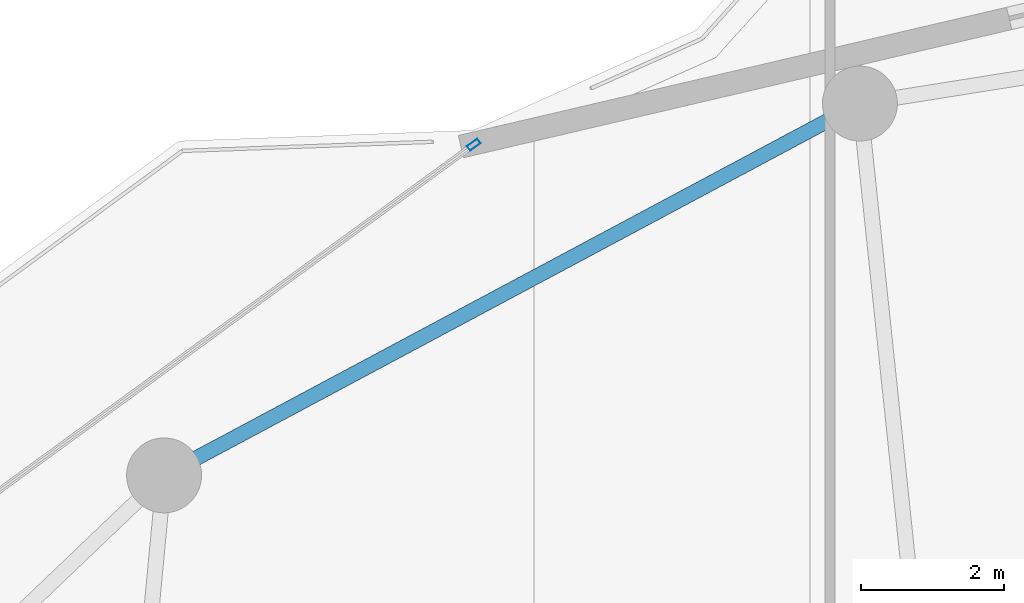
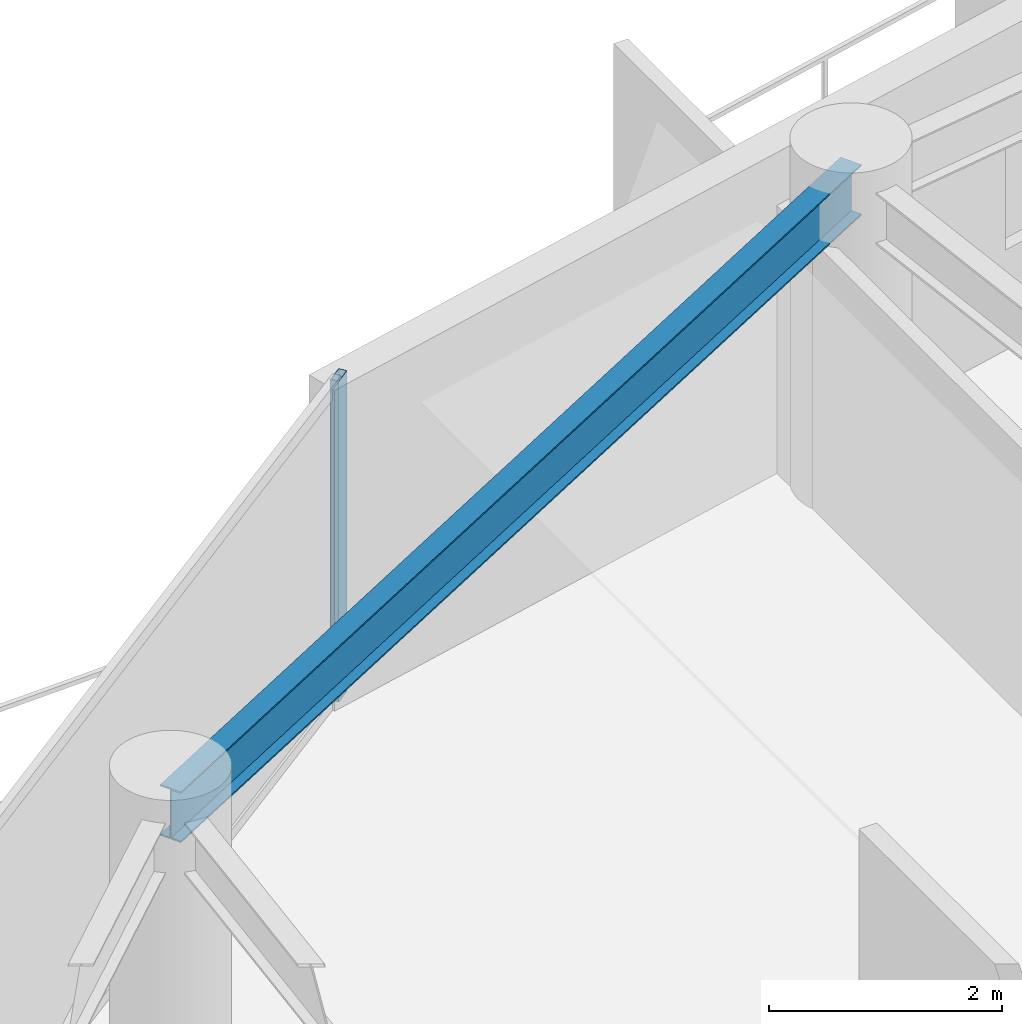
# One storey, part 18 of 30: 1 beam, 1 member, 1 element without a shape of its own.
"""IFC4 building model written with IfcOpenShell, lengths in metres."""

from ifc_helpers import new_model, si_unit, direction, frame, origin, origin_2d, place, context, subcontext, project, spatial, hollow_rectangle, i_section, extrude, material, layer, layer_set, material_profile, profile_set, type_object, element, aggregate, save


model = new_model("IFC4")

# Units and contexts
model_context = context("Model", 3, precision=1e-05, world=origin(), true_north=direction((0.0, 1.0)))
body_context = subcontext(model_context, "Body", "Model", "MODEL_VIEW")
ifc_project = project(units=[si_unit("LENGTHUNIT", "METRE"), si_unit("AREAUNIT", "SQUARE_METRE"), si_unit("VOLUMEUNIT", "CUBIC_METRE"), si_unit("PLANEANGLEUNIT", "RADIAN"), si_unit("MASSUNIT", "GRAM", prefix="KILO")], contexts=[model_context])

# Site, building, storey
site_placement = place(None, origin())
site = spatial("IfcSite", under=ifc_project, at=site_placement, CompositionType="ELEMENT")
building_placement = place(site_placement, origin())
building = spatial("IfcBuilding", under=site, at=building_placement, Name="Kazevale Care Tower and Concert Hall", CompositionType="ELEMENT")
storey_placement = place(building_placement, frame((0.0, 0.0, 242.39990234375)))
storey = spatial("IfcBuildingStorey", under=building, at=storey_placement, Name="L64", CompositionType="ELEMENT", Elevation=242.39990234375)

# Curtain wall, member
ifc_material_1 = material(Name="Aluminium 6063-T6 and Low-E Glass", Category="aluminium")
ifc_layer = layer(ifc_material_1, 0.179931640625)
ifc_layer_set = layer_set([ifc_layer], Name="Aluminium 6063-T6 and Low-E Glass")
curtain_wall_type = type_object("IfcCurtainWallType", Name="Waist & Upper Residential Curtain Wall CW-4", PredefinedType="NOTDEFINED", material=ifc_layer_set)
curtain_wall_placement = place(storey_placement, origin())
curtain_wall = element("IfcCurtainWall", 1, at=curtain_wall_placement, inside=storey, type_object=curtain_wall_type, Name="cw:L64:f14", PredefinedType="NOTDEFINED")
ifc_material_2 = material(Name="Aluminium 6063-T6", Category="aluminium")
ifc_material_profile_1 = material_profile(ifc_material_2, hollow_rectangle(XDim=0.080078125, YDim=0.179931640625, WallThickness=0.0048828125, at=origin_2d()), Name="ALU80x180x5")
ifc_profile_set_1 = profile_set([ifc_material_profile_1], Name="Aluminium 6063-T6")
member_type = type_object("IfcMemberType", Name="CW-4 Mullion ALU80x180x5", PredefinedType="MULLION", material=ifc_profile_set_1)
member_placement = place(storey_placement, frame((28.090576171875, 59.6435546875, 0.0), z_axis=(0.0, 0.0, 1.0), x_axis=(-0.588910374145, 0.808198348937, 0.0)))
member = element("IfcMember", 2, at=member_placement, type_object=member_type, Name="CW-4 mullion 2", PredefinedType="MULLION", context=body_context, shape_type="SweptSolid", body=[
    extrude(hollow_rectangle(XDim=0.080078125, YDim=0.179931640625, WallThickness=0.0048828125, at=origin_2d()), origin(), (0.0, 0.0, 1.0), 3.360107421875),
])
aggregate(curtain_wall, [member])

# Beam
ifc_material_3 = material(Name="Steel ASTM A572 Gr 50", Category="steel")
ifc_material_profile_2 = material_profile(ifc_material_3, i_section(OverallWidth=0.208984375, OverallDepth=0.532958984375, WebThickness=0.01025390625, FlangeThickness=0.015625, at=origin_2d()), Name="W530x92")
ifc_profile_set_2 = profile_set([ifc_material_profile_2], Name="Steel ASTM A572 Gr 50")
beam_type = type_object("IfcBeamType", Name="Upper Ring Beam W530x92", PredefinedType="BEAM", material=ifc_profile_set_2)
beam_placement = place(storey_placement, frame((33.5, 60.219970703125, 3.093505859375), z_axis=(-0.881978519833, -0.471289603697, 0.0), x_axis=(0.471289603697, -0.881978519833, 0.0)))
element("IfcBeam", 3, at=beam_placement, inside=storey, type_object=beam_type, Name="beam:L64:ring:06", PredefinedType="BEAM", context=body_context, shape_type="SweptSolid", body=[
    extrude(i_section(OverallWidth=0.208984375, OverallDepth=0.532958984375, WebThickness=0.01025390625, FlangeThickness=0.015625, at=origin_2d()), origin(), (0.0, 0.0, 1.0), 11.0546875),
])

save(model, "model.ifc")
